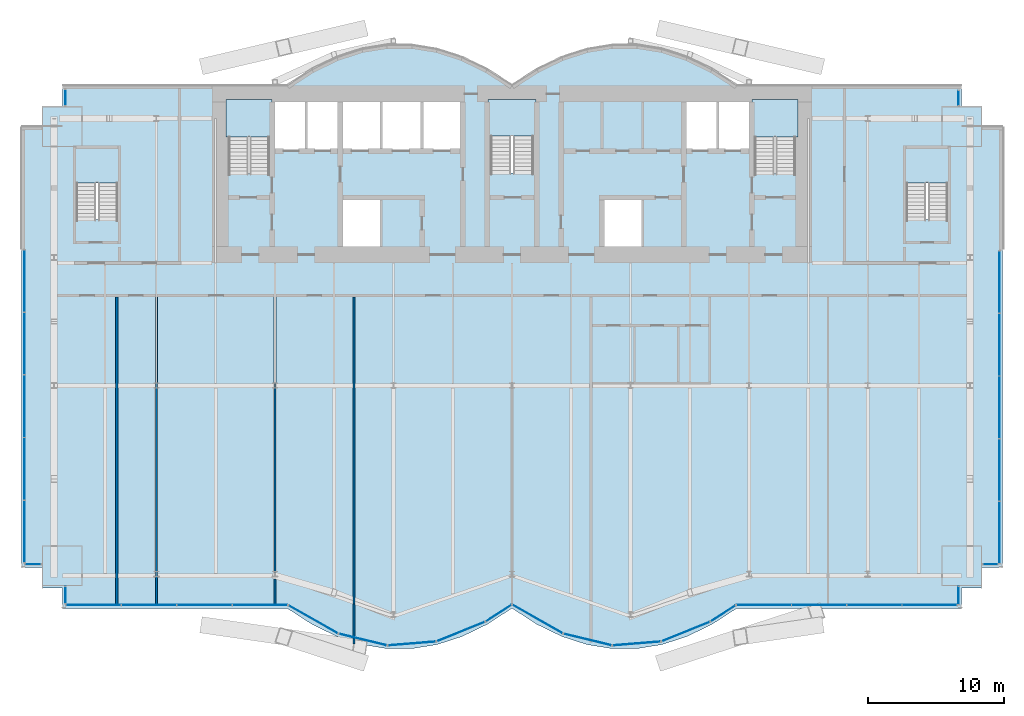
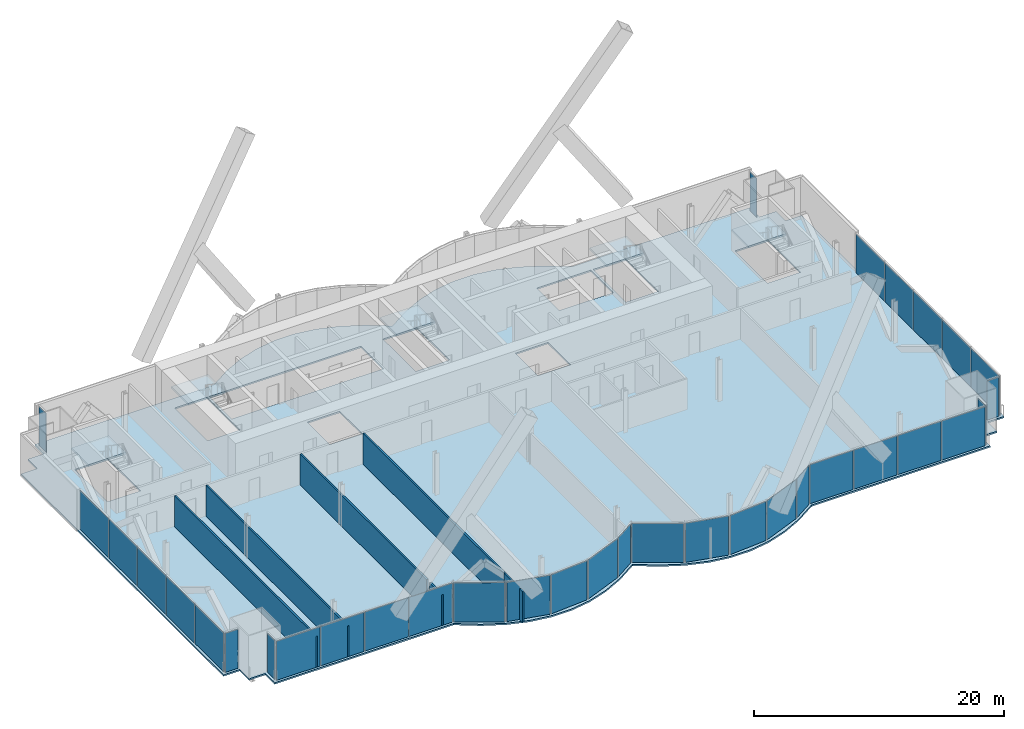
# One storey, part 15 of 22: 34 plates, 6 slabs, 6 walls, 17 elements without a shape of their own.
"""IFC4 building model written with IfcOpenShell, lengths in metres."""

from ifc_helpers import new_model, si_unit, direction, frame, frame_2d, origin, origin_2d, place, context, subcontext, project, spatial, polyline, rectangle, outline, extrude, material, layer, layer_set, type_object, element, aggregate, save


model = new_model("IFC4")

# Units and contexts
model_context = context("Model", 3, precision=1e-05, world=origin(), true_north=direction((0.0, 1.0)))
body_context = subcontext(model_context, "Body", "Model", "MODEL_VIEW")
ifc_project = project(units=[si_unit("LENGTHUNIT", "METRE"), si_unit("AREAUNIT", "SQUARE_METRE"), si_unit("VOLUMEUNIT", "CUBIC_METRE"), si_unit("PLANEANGLEUNIT", "RADIAN"), si_unit("MASSUNIT", "GRAM", prefix="KILO")], contexts=[model_context])

# Site, building, storey
site_placement = place(None, origin())
site = spatial("IfcSite", under=ifc_project, at=site_placement, CompositionType="ELEMENT")
building_placement = place(site_placement, origin())
building = spatial("IfcBuilding", under=site, at=building_placement, Name="Bicima Exchange Tower", CompositionType="ELEMENT")
storey_placement = place(building_placement, frame((0.0, 0.0, 102.199951171875)))
storey = spatial("IfcBuildingStorey", under=building, at=storey_placement, Name="L21", CompositionType="ELEMENT", Elevation=102.199951171875)

# Slab
ifc_material_1 = material(Name="Concrete C40/50", Category="concrete")
ifc_layer_1 = layer(ifc_material_1, 0.14990234375)
ifc_layer_set_1 = layer_set([ifc_layer_1], Name="Concrete C40/50")
slab_type_1 = type_object("IfcSlabType", Name="Composite floor slab 150", PredefinedType="FLOOR", material=ifc_layer_set_1)
slab_1_placement = place(storey_placement, frame((0.0, 0.0, -0.14990234375)))
element("IfcSlab", 1, at=slab_1_placement, inside=storey, type_object=slab_type_1, Name="Floor slab", PredefinedType="FLOOR", context=body_context, shape_type="SweptSolid", body=[
    extrude(outline(polyline([(-36.0, -35.340087890625), (-36.0, -3.0), (-34.5, -3.0), (-34.5, -1.5), (-33.0, -1.5), (-33.0, 0.0), (-16.5, 0.0), (-14.666748046875, 1.185302734375), (-12.833251953125, 2.07421875), (-11.0, 2.666748046875), (-9.166748046875, 2.962890625), (-7.333251953125, 2.962890625), (-5.5, 2.666748046875), (-3.666748046875, 2.07421875), (-1.833251953125, 1.185302734375), (0.0, 0.0), (1.833251953125, 1.185302734375), (3.666748046875, 2.07421875), (5.5, 2.666748046875), (7.333251953125, 2.962890625), (9.166748046875, 2.962890625), (11.0, 2.666748046875), (12.833251953125, 2.07421875), (14.666748046875, 1.185302734375), (16.5, 0.0), (33.0, 0.0), (33.0, -1.5), (34.5, -1.5), (34.5, -3.0), (36.0, -3.0), (36.0, -35.340087890625), (34.5, -35.340087890625), (34.5, -36.840087890625), (33.0, -36.840087890625), (33.0, -38.340087890625), (16.5, -38.340087890625), (14.666748046875, -39.525146484375), (12.833251953125, -40.4140625), (11.0, -41.006591796875), (9.166748046875, -41.302978515625), (7.333251953125, -41.302978515625), (5.5, -41.006591796875), (3.666748046875, -40.4140625), (1.833251953125, -39.525146484375), (0.0, -38.340087890625), (-1.833251953125, -39.525146484375), (-3.666748046875, -40.4140625), (-5.5, -41.006591796875), (-7.333251953125, -41.302978515625), (-9.166748046875, -41.302978515625), (-11.0, -41.006591796875), (-12.833251953125, -40.4140625), (-14.666748046875, -39.525146484375), (-16.5, -38.340087890625), (-33.0, -38.340087890625), (-33.0, -36.840087890625), (-34.5, -36.840087890625), (-34.5, -35.340087890625), (-36.0, -35.340087890625)]), holes=[polyline([(-9.60009765625, -11.800048828125), (-9.60009765625, -8.199951171875), (-12.60009765625, -8.199951171875), (-12.60009765625, -11.800048828125), (-9.60009765625, -11.800048828125)]), polyline([(-31.97509765625, -9.824951171875), (-28.925048828125, -9.824951171875), (-28.925048828125, -4.625), (-31.97509765625, -4.625), (-31.97509765625, -9.824951171875)]), polyline([(-20.800048828125, -6.449951171875), (-17.800048828125, -6.449951171875), (-17.800048828125, -1.199951171875), (-20.800048828125, -1.199951171875), (-20.800048828125, -6.449951171875)]), polyline([(-9.60009765625, -1.199951171875), (-12.60009765625, -1.199951171875), (-15.10009765625, -1.199951171875), (-17.60009765625, -1.199951171875), (-17.60009765625, -4.800048828125), (-15.10009765625, -4.800048828125), (-12.60009765625, -4.800048828125), (-9.60009765625, -4.800048828125), (-6.60009765625, -4.800048828125), (-3.60009765625, -4.800048828125), (-3.60009765625, -1.199951171875), (-6.60009765625, -1.199951171875), (-9.60009765625, -1.199951171875)]), polyline([(9.60009765625, -11.800048828125), (9.60009765625, -8.199951171875), (6.60009765625, -8.199951171875), (6.60009765625, -11.800048828125), (9.60009765625, -11.800048828125)]), polyline([(28.925048828125, -9.824951171875), (31.97509765625, -9.824951171875), (31.97509765625, -4.625), (28.925048828125, -4.625), (28.925048828125, -9.824951171875)]), polyline([(17.800048828125, -6.449951171875), (20.800048828125, -6.449951171875), (20.800048828125, -1.199951171875), (17.800048828125, -1.199951171875), (17.800048828125, -6.449951171875)]), polyline([(-1.574951171875, -6.39990234375), (1.574951171875, -6.39990234375), (1.574951171875, -1.199951171875), (-1.574951171875, -1.199951171875), (-1.574951171875, -6.39990234375)]), polyline([(17.60009765625, -4.800048828125), (17.60009765625, -1.199951171875), (15.10009765625, -1.199951171875), (12.60009765625, -1.199951171875), (12.60009765625, -4.800048828125), (15.10009765625, -4.800048828125), (17.60009765625, -4.800048828125)])]), origin(), (0.0, 0.0, 1.0), 0.14990234375),
])

# Curtain wall, plates
ifc_material_2 = material(Name="Anodised bronze aluminium", Category="aluminium")
curtain_wall_type_1 = type_object("IfcCurtainWallType", Name="End face glass wall", PredefinedType="NOTDEFINED", material=ifc_material_2)
curtain_wall_1_placement = place(storey_placement, origin())
curtain_wall_1 = element("IfcCurtainWall", 2, at=curtain_wall_1_placement, inside=storey, type_object=curtain_wall_type_1, Name="End face glass wall L21 run 2", PredefinedType="NOTDEFINED")
ifc_material_3 = material(Name="Bronze tinted glass", Category="glass")
ifc_layer_2 = layer(ifc_material_3, 0.031982421875)
ifc_layer_set_2 = layer_set([ifc_layer_2], Name="Bronze tinted glass")
plate_type_1 = type_object("IfcPlateType", Name="End face glass wall glass panel 32", PredefinedType="CURTAIN_PANEL", material=ifc_layer_set_2)
plate_1_placement = place(storey_placement, frame((-35.77001953125, -18.9208984375, 0.0), z_axis=(0.0, 0.0, 1.0), x_axis=(0.0, -1.0, 0.0)))
plate_1 = element("IfcPlate", 3, at=plate_1_placement, type_object=plate_type_1, Name="End face glass wall panel 2.1", PredefinedType="CURTAIN_PANEL", context=body_context, shape_type="SweptSolid", body=[
    extrude(rectangle(XDim=4.533935546875, YDim=0.031982421875, at=origin_2d()), origin(), (0.0, 0.0, 1.0), 3.81005859375),
])
plate_2_placement = place(storey_placement, frame((-35.77001953125, -32.702880859375, 0.0), z_axis=(0.0, 0.0, 1.0), x_axis=(0.0, -1.0, 0.0)))
plate_2 = element("IfcPlate", 4, at=plate_2_placement, type_object=plate_type_1, Name="End face glass wall panel 5.1", PredefinedType="CURTAIN_PANEL", context=body_context, shape_type="SweptSolid", body=[
    extrude(rectangle(XDim=4.533935546875, YDim=0.031982421875, at=origin_2d()), origin(), (0.0, 0.0, 1.0), 3.81005859375),
])

curtain_wall_2_placement = place(storey_placement, origin())
curtain_wall_2 = element("IfcCurtainWall", 5, at=curtain_wall_2_placement, inside=storey, type_object=curtain_wall_type_1, Name="End face glass wall L21 run 19", PredefinedType="NOTDEFINED")
plate_3_placement = place(storey_placement, frame((35.77001953125, -32.782958984375, 0.0), z_axis=(0.0, 0.0, 1.0), x_axis=(0.0, 1.0, 0.0)))
plate_3 = element("IfcPlate", 6, at=plate_3_placement, type_object=plate_type_1, Name="End face glass wall panel 1.1", PredefinedType="CURTAIN_PANEL", context=body_context, shape_type="SweptSolid", body=[
    extrude(rectangle(XDim=4.533935546875, YDim=0.031982421875, at=origin_2d()), origin(), (0.0, 0.0, 1.0), 3.81005859375),
])
plate_4_placement = place(storey_placement, frame((35.77001953125, -19.0009765625, 0.0), z_axis=(0.0, 0.0, 1.0), x_axis=(0.0, 1.0, 0.0)))
plate_4 = element("IfcPlate", 7, at=plate_4_placement, type_object=plate_type_1, Name="End face glass wall panel 4.1", PredefinedType="CURTAIN_PANEL", context=body_context, shape_type="SweptSolid", body=[
    extrude(rectangle(XDim=4.533935546875, YDim=0.031982421875, at=origin_2d()), origin(), (0.0, 0.0, 1.0), 3.81005859375),
])

# Plate
ifc_material_4 = material(Name="Bronze anodised aluminium", Category="aluminium")
ifc_layer_3 = layer(ifc_material_4, 0.031982421875)
ifc_layer_set_3 = layer_set([ifc_layer_3], Name="Bronze anodised aluminium")
plate_type_2 = type_object("IfcPlateType", Name="End face glass wall spandrel panel 32", PredefinedType="CURTAIN_PANEL", material=ifc_layer_set_3)
plate_5_placement = place(storey_placement, frame((-35.77001953125, -14.326904296875, 0.0), z_axis=(0.0, 0.0, 1.0), x_axis=(0.0, -1.0, 0.0)))
plate_5 = element("IfcPlate", 8, at=plate_5_placement, type_object=plate_type_2, Name="End face spandrel wall panel 1.1", PredefinedType="CURTAIN_PANEL", context=body_context, shape_type="SweptSolid", body=[
    extrude(rectangle(XDim=4.533935546875, YDim=0.031982421875, at=origin_2d()), origin(), (0.0, 0.0, 1.0), 3.81005859375),
])

plate_6_placement = place(storey_placement, frame((-35.77001953125, -23.514892578125, 0.0), z_axis=(0.0, 0.0, 1.0), x_axis=(0.0, -1.0, 0.0)))
plate_6 = element("IfcPlate", 9, at=plate_6_placement, type_object=plate_type_2, Name="End face spandrel wall panel 3.1", PredefinedType="CURTAIN_PANEL", context=body_context, shape_type="SweptSolid", body=[
    extrude(rectangle(XDim=4.533935546875, YDim=0.031982421875, at=origin_2d()), origin(), (0.0, 0.0, 1.0), 3.81005859375),
])

plate_7_placement = place(storey_placement, frame((-35.77001953125, -28.10888671875, 0.0), z_axis=(0.0, 0.0, 1.0), x_axis=(0.0, -1.0, 0.0)))
plate_7 = element("IfcPlate", 10, at=plate_7_placement, type_object=plate_type_2, Name="End face spandrel wall panel 4.1", PredefinedType="CURTAIN_PANEL", context=body_context, shape_type="SweptSolid", body=[
    extrude(rectangle(XDim=4.533935546875, YDim=0.031982421875, at=origin_2d()), origin(), (0.0, 0.0, 1.0), 3.81005859375),
])

aggregate(curtain_wall_1, [plate_5, plate_1, plate_6, plate_7, plate_2])

plate_8_placement = place(storey_placement, frame((35.77001953125, -28.18896484375, 0.0), z_axis=(0.0, 0.0, 1.0), x_axis=(0.0, 1.0, 0.0)))
plate_8 = element("IfcPlate", 11, at=plate_8_placement, type_object=plate_type_2, Name="End face spandrel wall panel 2.1", PredefinedType="CURTAIN_PANEL", context=body_context, shape_type="SweptSolid", body=[
    extrude(rectangle(XDim=4.533935546875, YDim=0.031982421875, at=origin_2d()), origin(), (0.0, 0.0, 1.0), 3.81005859375),
])

plate_9_placement = place(storey_placement, frame((35.77001953125, -23.594970703125, 0.0), z_axis=(0.0, 0.0, 1.0), x_axis=(0.0, 1.0, 0.0)))
plate_9 = element("IfcPlate", 12, at=plate_9_placement, type_object=plate_type_2, Name="End face spandrel wall panel 3.1", PredefinedType="CURTAIN_PANEL", context=body_context, shape_type="SweptSolid", body=[
    extrude(rectangle(XDim=4.533935546875, YDim=0.031982421875, at=origin_2d()), origin(), (0.0, 0.0, 1.0), 3.81005859375),
])

plate_10_placement = place(storey_placement, frame((35.77001953125, -14.406982421875, 0.0), z_axis=(0.0, 0.0, 1.0), x_axis=(0.0, 1.0, 0.0)))
plate_10 = element("IfcPlate", 13, at=plate_10_placement, type_object=plate_type_2, Name="End face spandrel wall panel 5.1", PredefinedType="CURTAIN_PANEL", context=body_context, shape_type="SweptSolid", body=[
    extrude(rectangle(XDim=4.533935546875, YDim=0.031982421875, at=origin_2d()), origin(), (0.0, 0.0, 1.0), 3.81005859375),
])

aggregate(curtain_wall_2, [plate_3, plate_8, plate_9, plate_4, plate_10])

# Curtain wall, plate
curtain_wall_type_2 = type_object("IfcCurtainWallType", Name="Front glass wall", PredefinedType="NOTDEFINED", material=ifc_material_2)
curtain_wall_3_placement = place(storey_placement, origin())
curtain_wall_3 = element("IfcCurtainWall", 14, at=curtain_wall_3_placement, inside=storey, type_object=curtain_wall_type_2, Name="Front glass wall L21 run 1", PredefinedType="NOTDEFINED")
ifc_layer_4 = layer(ifc_material_3, 0.031982421875)
ifc_layer_set_4 = layer_set([ifc_layer_4], Name="Bronze tinted glass")
plate_type_3 = type_object("IfcPlateType", Name="Front glass wall glass panel 32", PredefinedType="CURTAIN_PANEL", material=ifc_layer_set_4)
plate_11_placement = place(storey_placement, frame((-32.77001953125, -0.864990234375, 0.0), z_axis=(0.0, 0.0, 1.0), x_axis=(0.0, -1.0, 0.0)))
plate_11 = element("IfcPlate", 15, at=plate_11_placement, type_object=plate_type_3, Name="Front glass wall panel 1.1", PredefinedType="CURTAIN_PANEL", context=body_context, shape_type="SweptSolid", body=[
    extrude(rectangle(XDim=1.14990234375, YDim=0.031982421875, at=origin_2d()), origin(), (0.0, 0.0, 1.0), 3.81005859375),
])
aggregate(curtain_wall_3, [plate_11])

curtain_wall_4_placement = place(storey_placement, origin())
curtain_wall_4 = element("IfcCurtainWall", 16, at=curtain_wall_4_placement, inside=storey, type_object=curtain_wall_type_2, Name="Front glass wall L21 run 3", PredefinedType="NOTDEFINED")
plate_12_placement = place(storey_placement, frame((-35.135009765625, -35.110107421875, 0.0), z_axis=(0.0, 0.0, 1.0), x_axis=(1.0, 0.0, 0.0)))
plate_12 = element("IfcPlate", 17, at=plate_12_placement, type_object=plate_type_3, Name="Front glass wall panel 1.1", PredefinedType="CURTAIN_PANEL", context=body_context, shape_type="SweptSolid", body=[
    extrude(rectangle(XDim=1.14990234375, YDim=0.031982421875, at=origin_2d()), origin(), (0.0, 0.0, 1.0), 3.81005859375),
])
aggregate(curtain_wall_4, [plate_12])

curtain_wall_5_placement = place(storey_placement, origin())
curtain_wall_5 = element("IfcCurtainWall", 18, at=curtain_wall_5_placement, inside=storey, type_object=curtain_wall_type_2, Name="Front glass wall L21 run 4", PredefinedType="NOTDEFINED")
plate_13_placement = place(storey_placement, frame((-32.77001953125, -37.3740234375, 0.0), z_axis=(0.0, 0.0, 1.0), x_axis=(0.0, -1.0, 0.0)))
plate_13 = element("IfcPlate", 19, at=plate_13_placement, type_object=plate_type_3, Name="Front glass wall panel 1.1", PredefinedType="CURTAIN_PANEL", context=body_context, shape_type="SweptSolid", body=[
    extrude(rectangle(XDim=1.19189453125, YDim=0.031982421875, at=origin_2d()), origin(), (0.0, 0.0, 1.0), 3.81005859375),
])
aggregate(curtain_wall_5, [plate_13])

# Curtain wall, plates
curtain_wall_6_placement = place(storey_placement, origin())
curtain_wall_6 = element("IfcCurtainWall", 20, at=curtain_wall_6_placement, inside=storey, type_object=curtain_wall_type_2, Name="Front glass wall L21 run 5", PredefinedType="NOTDEFINED")
plate_14_placement = place(storey_placement, frame((-30.705322265625, -38.110107421875, 0.0), z_axis=(0.0, 0.0, 1.0), x_axis=(1.0, 0.0, 0.0)))
plate_14 = element("IfcPlate", 21, at=plate_14_placement, type_object=plate_type_3, Name="Front glass wall panel 1.1", PredefinedType="CURTAIN_PANEL", context=body_context, shape_type="SweptSolid", body=[
    extrude(rectangle(XDim=4.009521484375, YDim=0.031982421875, at=origin_2d()), origin(), (0.0, 0.0, 1.0), 3.81005859375),
])
plate_15_placement = place(storey_placement, frame((-18.496826171875, -38.110107421875, 0.0), z_axis=(0.0, 0.0, 1.0), x_axis=(1.0, 0.0, 0.0)))
plate_15 = element("IfcPlate", 22, at=plate_15_placement, type_object=plate_type_3, Name="Front glass wall panel 4.1", PredefinedType="CURTAIN_PANEL", context=body_context, shape_type="SweptSolid", body=[
    extrude(rectangle(XDim=4.009521484375, YDim=0.031982421875, at=origin_2d()), origin(), (0.0, 0.0, 1.0), 3.81005859375),
])

curtain_wall_7_placement = place(storey_placement, origin())
curtain_wall_7 = element("IfcCurtainWall", 23, at=curtain_wall_7_placement, inside=storey, type_object=curtain_wall_type_2, Name="Front glass wall L21 run 6", PredefinedType="NOTDEFINED")
plate_16_placement = place(storey_placement, frame((-14.589599609375, -39.155029296875, 0.0), z_axis=(0.0, 0.0, 1.0), x_axis=(0.869805110681, -0.493395449343, 0.0)))
plate_16 = element("IfcPlate", 24, at=plate_16_placement, type_object=plate_type_3, Name="Front glass wall panel 1.1", PredefinedType="CURTAIN_PANEL", context=body_context, shape_type="SweptSolid", body=[
    extrude(rectangle(XDim=4.1162109375, YDim=0.031982421875, at=origin_2d()), origin(), (0.0, 0.0, 1.0), 3.81005859375),
])
plate_17_placement = place(storey_placement, frame((-3.750244140625, -40.053466796875, 0.0), z_axis=(0.0, 0.0, 1.0), x_axis=(0.92714396679, 0.374705304, 0.0)))
plate_17 = element("IfcPlate", 25, at=plate_17_placement, type_object=plate_type_3, Name="Front glass wall panel 1.1", PredefinedType="CURTAIN_PANEL", context=body_context, shape_type="SweptSolid", body=[
    extrude(rectangle(XDim=3.771240234375, YDim=0.031982421875, at=origin_2d()), origin(), (0.0, 0.0, 1.0), 3.81005859375),
])
plate_18_placement = place(storey_placement, frame((-0.97314453125, -38.6953125, 0.0), z_axis=(0.0, 0.0, 1.0), x_axis=(0.839798994301, 0.542897457326, 0.0)))
plate_18 = element("IfcPlate", 26, at=plate_18_placement, type_object=plate_type_3, Name="Front glass wall panel 1.1", PredefinedType="CURTAIN_PANEL", context=body_context, shape_type="SweptSolid", body=[
    extrude(rectangle(XDim=2.197509765625, YDim=0.031982421875, at=origin_2d()), origin(), (0.0, 0.0, 1.0), 3.81005859375),
])

curtain_wall_8_placement = place(storey_placement, origin())
curtain_wall_8 = element("IfcCurtainWall", 27, at=curtain_wall_8_placement, inside=storey, type_object=curtain_wall_type_2, Name="Front glass wall L21 run 11", PredefinedType="NOTDEFINED")
plate_19_placement = place(storey_placement, frame((1.876220703125, -39.13330078125, 0.0), z_axis=(0.0, 0.0, 1.0), x_axis=(0.869274147378, -0.494330311331, 0.0)))
plate_19 = element("IfcPlate", 28, at=plate_19_placement, type_object=plate_type_3, Name="Front glass wall panel 1.1", PredefinedType="CURTAIN_PANEL", context=body_context, shape_type="SweptSolid", body=[
    extrude(rectangle(XDim=4.197021484375, YDim=0.031982421875, at=origin_2d()), origin(), (0.0, 0.0, 1.0), 3.81005859375),
])
plate_20_placement = place(storey_placement, frame((5.55224609375, -40.63671875, 0.0), z_axis=(0.0, 0.0, 1.0), x_axis=(0.971830343553, -0.235681529503, 0.0)))
plate_20 = element("IfcPlate", 29, at=plate_20_placement, type_object=plate_type_3, Name="Front glass wall panel 1.1", PredefinedType="CURTAIN_PANEL", context=body_context, shape_type="SweptSolid", body=[
    extrude(rectangle(XDim=3.583251953125, YDim=0.031982421875, at=origin_2d()), origin(), (0.0, 0.0, 1.0), 3.81005859375),
])
plate_21_placement = place(storey_placement, frame((15.492919921875, -38.71728515625, 0.0), z_axis=(0.0, 0.0, 1.0), x_axis=(0.839791413941, 0.542909183079, 0.0)))
plate_21 = element("IfcPlate", 30, at=plate_21_placement, type_object=plate_type_3, Name="Front glass wall panel 1.1", PredefinedType="CURTAIN_PANEL", context=body_context, shape_type="SweptSolid", body=[
    extrude(rectangle(XDim=2.11669921875, YDim=0.031982421875, at=origin_2d()), origin(), (0.0, 0.0, 1.0), 3.81005859375),
])

curtain_wall_9_placement = place(storey_placement, origin())
curtain_wall_9 = element("IfcCurtainWall", 31, at=curtain_wall_9_placement, inside=storey, type_object=curtain_wall_type_2, Name="Front glass wall L21 run 16", PredefinedType="NOTDEFINED")
plate_22_placement = place(storey_placement, frame((18.48681640625, -38.110107421875, 0.0), z_axis=(0.0, 0.0, 1.0), x_axis=(1.0, 0.0, 0.0)))
plate_22 = element("IfcPlate", 32, at=plate_22_placement, type_object=plate_type_3, Name="Front glass wall panel 1.1", PredefinedType="CURTAIN_PANEL", context=body_context, shape_type="SweptSolid", body=[
    extrude(rectangle(XDim=3.989501953125, YDim=0.031982421875, at=origin_2d()), origin(), (0.0, 0.0, 1.0), 3.81005859375),
])
plate_23_placement = place(storey_placement, frame((30.63525390625, -38.110107421875, 0.0), z_axis=(0.0, 0.0, 1.0), x_axis=(1.0, 0.0, 0.0)))
plate_23 = element("IfcPlate", 33, at=plate_23_placement, type_object=plate_type_3, Name="Front glass wall panel 4.1", PredefinedType="CURTAIN_PANEL", context=body_context, shape_type="SweptSolid", body=[
    extrude(rectangle(XDim=3.989501953125, YDim=0.031982421875, at=origin_2d()), origin(), (0.0, 0.0, 1.0), 3.81005859375),
])

# Curtain wall, plate
curtain_wall_10_placement = place(storey_placement, origin())
curtain_wall_10 = element("IfcCurtainWall", 34, at=curtain_wall_10_placement, inside=storey, type_object=curtain_wall_type_2, Name="Front glass wall L21 run 17", PredefinedType="NOTDEFINED")
plate_24_placement = place(storey_placement, frame((32.77001953125, -37.4140625, 0.0), z_axis=(0.0, 0.0, 1.0), x_axis=(0.0, 1.0, 0.0)))
plate_24 = element("IfcPlate", 35, at=plate_24_placement, type_object=plate_type_3, Name="Front glass wall panel 1.1", PredefinedType="CURTAIN_PANEL", context=body_context, shape_type="SweptSolid", body=[
    extrude(rectangle(XDim=1.27197265625, YDim=0.031982421875, at=origin_2d()), origin(), (0.0, 0.0, 1.0), 3.81005859375),
])
aggregate(curtain_wall_10, [plate_24])

curtain_wall_11_placement = place(storey_placement, origin())
curtain_wall_11 = element("IfcCurtainWall", 36, at=curtain_wall_11_placement, inside=storey, type_object=curtain_wall_type_2, Name="Front glass wall L21 run 18", PredefinedType="NOTDEFINED")
plate_25_placement = place(storey_placement, frame((35.094970703125, -35.110107421875, 0.0), z_axis=(0.0, 0.0, 1.0), x_axis=(1.0, 0.0, 0.0)))
plate_25 = element("IfcPlate", 37, at=plate_25_placement, type_object=plate_type_3, Name="Front glass wall panel 1.1", PredefinedType="CURTAIN_PANEL", context=body_context, shape_type="SweptSolid", body=[
    extrude(rectangle(XDim=1.070068359375, YDim=0.031982421875, at=origin_2d()), origin(), (0.0, 0.0, 1.0), 3.81005859375),
])
aggregate(curtain_wall_11, [plate_25])

curtain_wall_12_placement = place(storey_placement, origin())
curtain_wall_12 = element("IfcCurtainWall", 38, at=curtain_wall_12_placement, inside=storey, type_object=curtain_wall_type_2, Name="Front glass wall L21 run 20", PredefinedType="NOTDEFINED")
plate_26_placement = place(storey_placement, frame((32.77001953125, -0.905029296875, 0.0), z_axis=(0.0, 0.0, 1.0), x_axis=(0.0, 1.0, 0.0)))
plate_26 = element("IfcPlate", 39, at=plate_26_placement, type_object=plate_type_3, Name="Front glass wall panel 1.1", PredefinedType="CURTAIN_PANEL", context=body_context, shape_type="SweptSolid", body=[
    extrude(rectangle(XDim=1.070068359375, YDim=0.031982421875, at=origin_2d()), origin(), (0.0, 0.0, 1.0), 3.81005859375),
])
aggregate(curtain_wall_12, [plate_26])

# Plate
ifc_layer_5 = layer(ifc_material_4, 0.031982421875)
ifc_layer_set_5 = layer_set([ifc_layer_5], Name="Bronze anodised aluminium")
plate_type_4 = type_object("IfcPlateType", Name="Front glass wall spandrel panel 32", PredefinedType="CURTAIN_PANEL", material=ifc_layer_set_5)
plate_27_placement = place(storey_placement, frame((-26.6357421875, -38.110107421875, 0.0), z_axis=(0.0, 0.0, 1.0), x_axis=(1.0, 0.0, 0.0)))
plate_27 = element("IfcPlate", 40, at=plate_27_placement, type_object=plate_type_4, Name="Front spandrel wall panel 2.1", PredefinedType="CURTAIN_PANEL", context=body_context, shape_type="SweptSolid", body=[
    extrude(rectangle(XDim=4.009521484375, YDim=0.031982421875, at=origin_2d()), origin(), (0.0, 0.0, 1.0), 3.81005859375),
])

plate_28_placement = place(storey_placement, frame((-22.56640625, -38.110107421875, 0.0), z_axis=(0.0, 0.0, 1.0), x_axis=(1.0, 0.0, 0.0)))
plate_28 = element("IfcPlate", 41, at=plate_28_placement, type_object=plate_type_4, Name="Front spandrel wall panel 3.1", PredefinedType="CURTAIN_PANEL", context=body_context, shape_type="SweptSolid", body=[
    extrude(rectangle(XDim=4.009521484375, YDim=0.031982421875, at=origin_2d()), origin(), (0.0, 0.0, 1.0), 3.81005859375),
])

aggregate(curtain_wall_6, [plate_14, plate_27, plate_28, plate_15])

plate_29_placement = place(storey_placement, frame((-10.94775390625, -40.63671875, 0.0), z_axis=(0.0, 0.0, 1.0), x_axis=(0.971830343553, -0.235681529503, 0.0)))
plate_29 = element("IfcPlate", 42, at=plate_29_placement, type_object=plate_type_4, Name="Front spandrel wall panel 1.1", PredefinedType="CURTAIN_PANEL", context=body_context, shape_type="SweptSolid", body=[
    extrude(rectangle(XDim=3.583251953125, YDim=0.031982421875, at=origin_2d()), origin(), (0.0, 0.0, 1.0), 3.81005859375),
])

plate_30_placement = place(storey_placement, frame((-7.35107421875, -40.927734375, 0.0), z_axis=(0.0, 0.0, 1.0), x_axis=(0.99674744821, 0.080588612633, 0.0)))
plate_30 = element("IfcPlate", 43, at=plate_30_placement, type_object=plate_type_4, Name="Front spandrel wall panel 1.1", PredefinedType="CURTAIN_PANEL", context=body_context, shape_type="SweptSolid", body=[
    extrude(rectangle(XDim=3.486083984375, YDim=0.031982421875, at=origin_2d()), origin(), (0.0, 0.0, 1.0), 3.81005859375),
])

aggregate(curtain_wall_7, [plate_16, plate_29, plate_30, plate_17, plate_18])

plate_31_placement = place(storey_placement, frame((9.14892578125, -40.927734375, 0.0), z_axis=(0.0, 0.0, 1.0), x_axis=(0.99674744821, 0.080588612633, 0.0)))
plate_31 = element("IfcPlate", 44, at=plate_31_placement, type_object=plate_type_4, Name="Front spandrel wall panel 1.1", PredefinedType="CURTAIN_PANEL", context=body_context, shape_type="SweptSolid", body=[
    extrude(rectangle(XDim=3.486083984375, YDim=0.031982421875, at=origin_2d()), origin(), (0.0, 0.0, 1.0), 3.81005859375),
])

plate_32_placement = place(storey_placement, frame((12.749755859375, -40.053466796875, 0.0), z_axis=(0.0, 0.0, 1.0), x_axis=(0.92714396679, 0.374705304, 0.0)))
plate_32 = element("IfcPlate", 45, at=plate_32_placement, type_object=plate_type_4, Name="Front spandrel wall panel 1.1", PredefinedType="CURTAIN_PANEL", context=body_context, shape_type="SweptSolid", body=[
    extrude(rectangle(XDim=3.771240234375, YDim=0.031982421875, at=origin_2d()), origin(), (0.0, 0.0, 1.0), 3.81005859375),
])

aggregate(curtain_wall_8, [plate_19, plate_20, plate_31, plate_32, plate_21])

plate_33_placement = place(storey_placement, frame((22.536376953125, -38.110107421875, 0.0), z_axis=(0.0, 0.0, 1.0), x_axis=(1.0, 0.0, 0.0)))
plate_33 = element("IfcPlate", 46, at=plate_33_placement, type_object=plate_type_4, Name="Front spandrel wall panel 2.1", PredefinedType="CURTAIN_PANEL", context=body_context, shape_type="SweptSolid", body=[
    extrude(rectangle(XDim=3.989501953125, YDim=0.031982421875, at=origin_2d()), origin(), (0.0, 0.0, 1.0), 3.81005859375),
])

plate_34_placement = place(storey_placement, frame((26.585693359375, -38.110107421875, 0.0), z_axis=(0.0, 0.0, 1.0), x_axis=(1.0, 0.0, 0.0)))
plate_34 = element("IfcPlate", 47, at=plate_34_placement, type_object=plate_type_4, Name="Front spandrel wall panel 3.1", PredefinedType="CURTAIN_PANEL", context=body_context, shape_type="SweptSolid", body=[
    extrude(rectangle(XDim=3.989501953125, YDim=0.031982421875, at=origin_2d()), origin(), (0.0, 0.0, 1.0), 3.81005859375),
])

aggregate(curtain_wall_9, [plate_22, plate_33, plate_34, plate_23])

# Stair, slab
ifc_material_5 = material(Name="Concrete C50/60", Category="concrete")
stair_type_1 = type_object("IfcStairType", Name="Exit stair", PredefinedType="HALF_TURN_STAIR", material=ifc_material_5)
stair_1_placement = place(storey_placement, origin())
stair_1 = element("IfcStair", 48, at=stair_1_placement, inside=storey, type_object=stair_type_1, Name="L21 West exit stair", PredefinedType="HALF_TURN_STAIR")
ifc_layer_6 = layer(ifc_material_5, 0.199951171875)
ifc_layer_set_6 = layer_set([ifc_layer_6], Name="Concrete C50/60")
slab_type_2 = type_object("IfcSlabType", Name="Stair landing slab", PredefinedType="LANDING", material=ifc_layer_set_6)
slab_2_placement = place(storey_placement, frame((0.0, 0.0, 1.85009765625)))
slab_2 = element("IfcSlab", 49, at=slab_2_placement, type_object=slab_type_2, Name="ST-W landing 1", PredefinedType="LANDING", context=body_context, shape_type="SweptSolid", body=[
    extrude(outline(polyline([(-17.60009765625, -3.75), (-17.60009765625, -1.0), (-21.0, -1.0), (-21.0, -3.75), (-17.60009765625, -3.75)])), origin(), (0.0, 0.0, 1.0), 0.199951171875),
])
aggregate(stair_1, [slab_2])

stair_type_2 = type_object("IfcStairType", Name="Exit stair 1500", PredefinedType="HALF_TURN_STAIR", material=ifc_material_5)
stair_2_placement = place(storey_placement, origin())
stair_2 = element("IfcStair", 50, at=stair_2_placement, inside=storey, type_object=stair_type_2, Name="L21 Central exit stair", PredefinedType="HALF_TURN_STAIR")
slab_3_placement = place(storey_placement, frame((0.0, 0.0, 1.85009765625)))
slab_3 = element("IfcSlab", 51, at=slab_3_placement, type_object=slab_type_2, Name="ST-C landing 1", PredefinedType="LANDING", context=body_context, shape_type="SweptSolid", body=[
    extrude(outline(polyline([(1.77490234375, -3.699951171875), (1.77490234375, -1.0), (-1.77490234375, -1.0), (-1.77490234375, -3.699951171875), (1.77490234375, -3.699951171875)])), origin(), (0.0, 0.0, 1.0), 0.199951171875),
])
aggregate(stair_2, [slab_3])

stair_3_placement = place(storey_placement, origin())
stair_3 = element("IfcStair", 52, at=stair_3_placement, inside=storey, type_object=stair_type_1, Name="L21 East exit stair", PredefinedType="HALF_TURN_STAIR")
slab_4_placement = place(storey_placement, frame((0.0, 0.0, 1.85009765625)))
slab_4 = element("IfcSlab", 53, at=slab_4_placement, type_object=slab_type_2, Name="ST-E landing 1", PredefinedType="LANDING", context=body_context, shape_type="SweptSolid", body=[
    extrude(outline(polyline([(21.0, -3.75), (21.0, -1.0), (17.60009765625, -1.0), (17.60009765625, -3.75), (21.0, -3.75)])), origin(), (0.0, 0.0, 1.0), 0.199951171875),
])
aggregate(stair_3, [slab_4])

stair_4_placement = place(storey_placement, origin())
stair_4 = element("IfcStair", 54, at=stair_4_placement, inside=storey, type_object=stair_type_1, Name="L21 West end exit stair", PredefinedType="HALF_TURN_STAIR")
slab_5_placement = place(storey_placement, frame((0.0, 0.0, 1.85009765625)))
slab_5 = element("IfcSlab", 55, at=slab_5_placement, type_object=slab_type_2, Name="ST-WW landing 1", PredefinedType="LANDING", context=body_context, shape_type="SweptSolid", body=[
    extrude(outline(polyline([(-28.72509765625, -7.125), (-28.72509765625, -4.425048828125), (-32.175048828125, -4.425048828125), (-32.175048828125, -7.125), (-28.72509765625, -7.125)])), origin(), (0.0, 0.0, 1.0), 0.199951171875),
])
aggregate(stair_4, [slab_5])

stair_5_placement = place(storey_placement, origin())
stair_5 = element("IfcStair", 56, at=stair_5_placement, inside=storey, type_object=stair_type_1, Name="L21 East end exit stair", PredefinedType="HALF_TURN_STAIR")
slab_6_placement = place(storey_placement, frame((0.0, 0.0, 1.85009765625)))
slab_6 = element("IfcSlab", 57, at=slab_6_placement, type_object=slab_type_2, Name="ST-EE landing 1", PredefinedType="LANDING", context=body_context, shape_type="SweptSolid", body=[
    extrude(outline(polyline([(32.175048828125, -7.125), (32.175048828125, -4.425048828125), (28.72509765625, -4.425048828125), (28.72509765625, -7.125), (32.175048828125, -7.125)])), origin(), (0.0, 0.0, 1.0), 0.199951171875),
])
aggregate(stair_5, [slab_6])

# Walls
ifc_material_6 = material(Name="Gypsum board partition")
ifc_layer_7 = layer(ifc_material_6, 0.14990234375)
ifc_layer_set_7 = layer_set([ifc_layer_7], Name="Gypsum board partition")
wall_type = type_object("IfcWallType", Name="Gypsum partition 150", PredefinedType="PARTITIONING", material=ifc_layer_set_7)
for number, where, z_axis, x_axis, name in (
    (58, (-29.0, -38.1298828125, 0.0), (0.0, 0.0, 1.0), (0.0, 1.0, 0.0), "partition wall 13"),
    (59, (-26.10009765625, -38.1298828125, 0.0), (0.0, 0.0, 1.0), (0.0, 1.0, 0.0), "partition wall 15"),
):
    element("IfcWall", number, at=place(storey_placement, frame(where, z_axis=z_axis, x_axis=x_axis)), inside=storey, type_object=wall_type, Name=name, PredefinedType="PARTITIONING", context=body_context, shape_type="SweptSolid", body=[
        extrude(rectangle(XDim=22.6298828125, YDim=0.14990234375, at=frame_2d((11.31494140625, 0.0))), origin(), (0.0, 0.0, 1.0), 3.018310546875),
    ])
wall_1_placement = place(storey_placement, frame((-17.39990234375, -38.1298828125, 0.0), z_axis=(0.0, 0.0, 1.0), x_axis=(0.0, 1.0, 0.0)))
element("IfcWall", 60, at=wall_1_placement, inside=storey, type_object=wall_type, Name="partition wall 17", PredefinedType="PARTITIONING", context=body_context, shape_type="SweptSolid", body=[
    extrude(rectangle(XDim=1.95263671875, YDim=0.14990234375, at=frame_2d((0.976318359375, 0.0))), origin(), (0.0, 0.0, 1.0), 3.018310546875),
])
wall_2_placement = place(storey_placement, frame((-17.39990234375, -35.70263671875, 0.0), z_axis=(0.0, 0.0, 1.0), x_axis=(0.0, 1.0, 0.0)))
element("IfcWall", 61, at=wall_2_placement, inside=storey, type_object=wall_type, Name="partition wall 18", PredefinedType="PARTITIONING", context=body_context, shape_type="SweptSolid", body=[
    extrude(rectangle(XDim=20.20263671875, YDim=0.14990234375, at=frame_2d((10.101318359375, 0.0))), origin(), (0.0, 0.0, 1.0), 3.018310546875),
])
wall_3_placement = place(storey_placement, frame((-11.60009765625, -40.9521484375, 0.0), z_axis=(0.0, 0.0, 1.0), x_axis=(0.0, 1.0, 0.0)))
element("IfcWall", 62, at=wall_3_placement, inside=storey, type_object=wall_type, Name="partition wall 19", PredefinedType="PARTITIONING", context=body_context, shape_type="SweptSolid", body=[
    extrude(rectangle(XDim=2.93701171875, YDim=0.14990234375, at=frame_2d((1.468505859375, 0.0))), origin(), (0.0, 0.0, 1.0), 3.018310546875),
])
wall_4_placement = place(storey_placement, frame((-11.60009765625, -38.01513671875, 0.0), z_axis=(0.0, 0.0, 1.0), x_axis=(0.0, 1.0, 0.0)))
element("IfcWall", 63, at=wall_4_placement, inside=storey, type_object=wall_type, Name="partition wall 20", PredefinedType="PARTITIONING", context=body_context, shape_type="SweptSolid", body=[
    extrude(rectangle(XDim=22.51513671875, YDim=0.14990234375, at=frame_2d((11.257568359375, 0.0))), origin(), (0.0, 0.0, 1.0), 3.018310546875),
])

save(model, "model.ifc")
